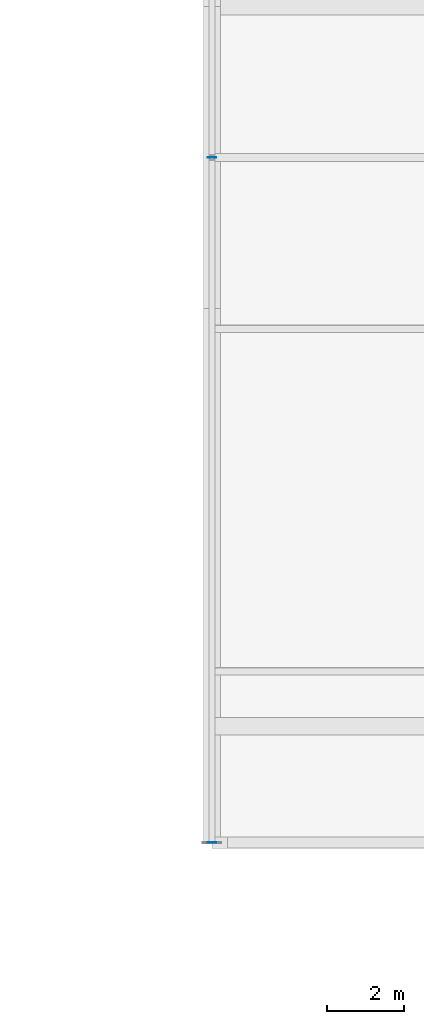
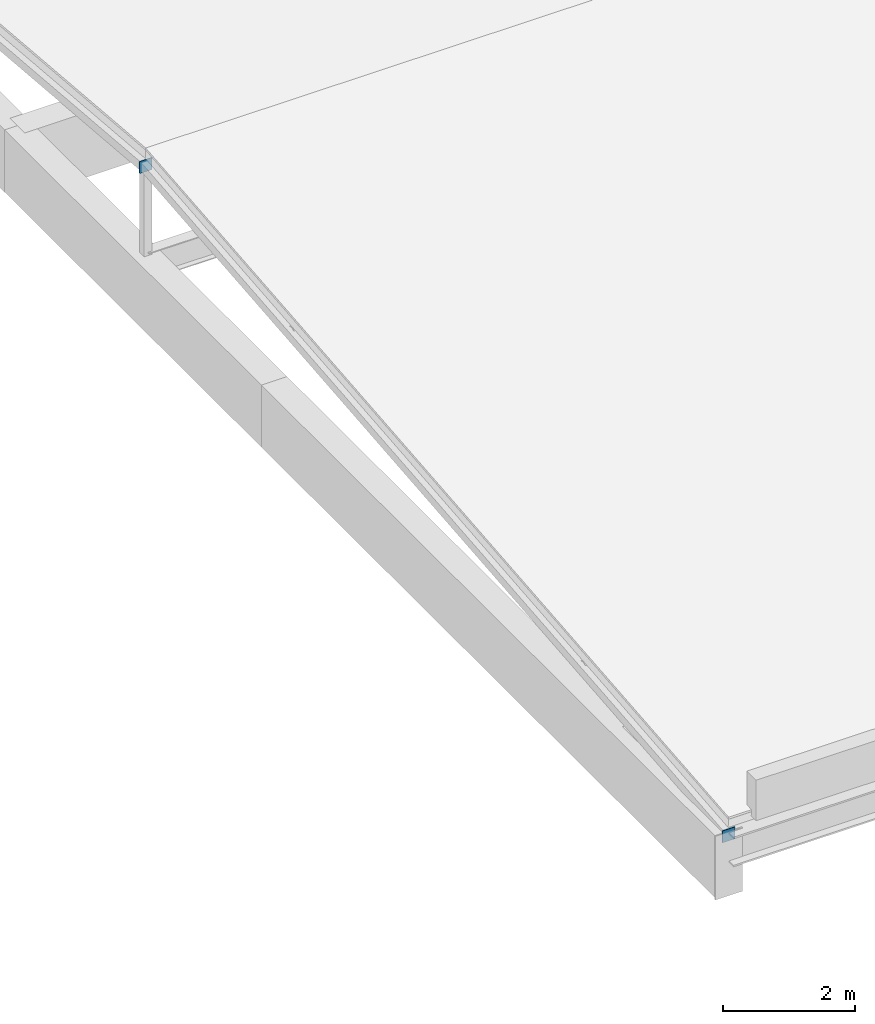
# One storey, part 25 of 45: 2 plates.
"""IFC4 building model written with IfcOpenShell, lengths in metres."""

from ifc_helpers import new_model, si_unit, direction, frame, origin, origin_2d, place, context, subcontext, project, spatial, rectangle, extrude, material, layer, layer_set, type_object, element, save


model = new_model("IFC4")

# Units and contexts
model_context = context("Model", 3, precision=1e-05, world=origin(), true_north=direction((0.0, 1.0)))
body_context = subcontext(model_context, "Body", "Model", "MODEL_VIEW")
ifc_project = project(units=[si_unit("LENGTHUNIT", "METRE"), si_unit("AREAUNIT", "SQUARE_METRE"), si_unit("VOLUMEUNIT", "CUBIC_METRE"), si_unit("PLANEANGLEUNIT", "RADIAN"), si_unit("MASSUNIT", "GRAM", prefix="KILO")], contexts=[model_context])

# Site, building, storey
site_placement = place(None, origin())
site = spatial("IfcSite", under=ifc_project, at=site_placement, CompositionType="ELEMENT")
building_placement = place(site_placement, origin())
building = spatial("IfcBuilding", under=site, at=building_placement, Name="Celorna Specialist Clinic", CompositionType="ELEMENT")
storey_placement = place(building_placement, frame((0.0, 0.0, 18.60009765625)))
storey = spatial("IfcBuildingStorey", under=building, at=storey_placement, Name="L04", CompositionType="ELEMENT", Elevation=18.60009765625)

# Plates
ifc_material = material(Name="Steel S355", Category="steel")
ifc_layer = layer(ifc_material, 0.01611328125, Name="Steel S355")
ifc_layer_set = layer_set([ifc_layer], Name="Steel S355")
plate_type = type_object("IfcPlateType", Name="EP-04", PredefinedType="SHEET", material=ifc_layer_set)
for number, where, z_axis, x_axis, name in (
    (1, (54.60009765625, 5.699951171875, -0.31201171875), (0.0, 0.0, 1.0), (1.0, 0.0, 0.0), "Rafter chord cap plate ROOF-V6-SOUTH"),
    (2, (54.60009765625, 23.39990234375, 1.35791015625), (0.0, 0.0, 1.0), (1.0, 0.0, 0.0), "Rafter chord cap plate ROOF-V6-SOUTH"),
):
    element("IfcPlate", number, at=place(storey_placement, frame(where, z_axis=z_axis, x_axis=x_axis)), inside=storey, type_object=plate_type, Name=name, PredefinedType="SHEET", context=body_context, shape_type="SweptSolid", body=[
        extrude(rectangle(XDim=0.219970703125, YDim=0.013916015625, at=origin_2d()), origin(), (0.0, 0.0, 1.0), 0.219970703125),
    ])

save(model, "model.ifc")
